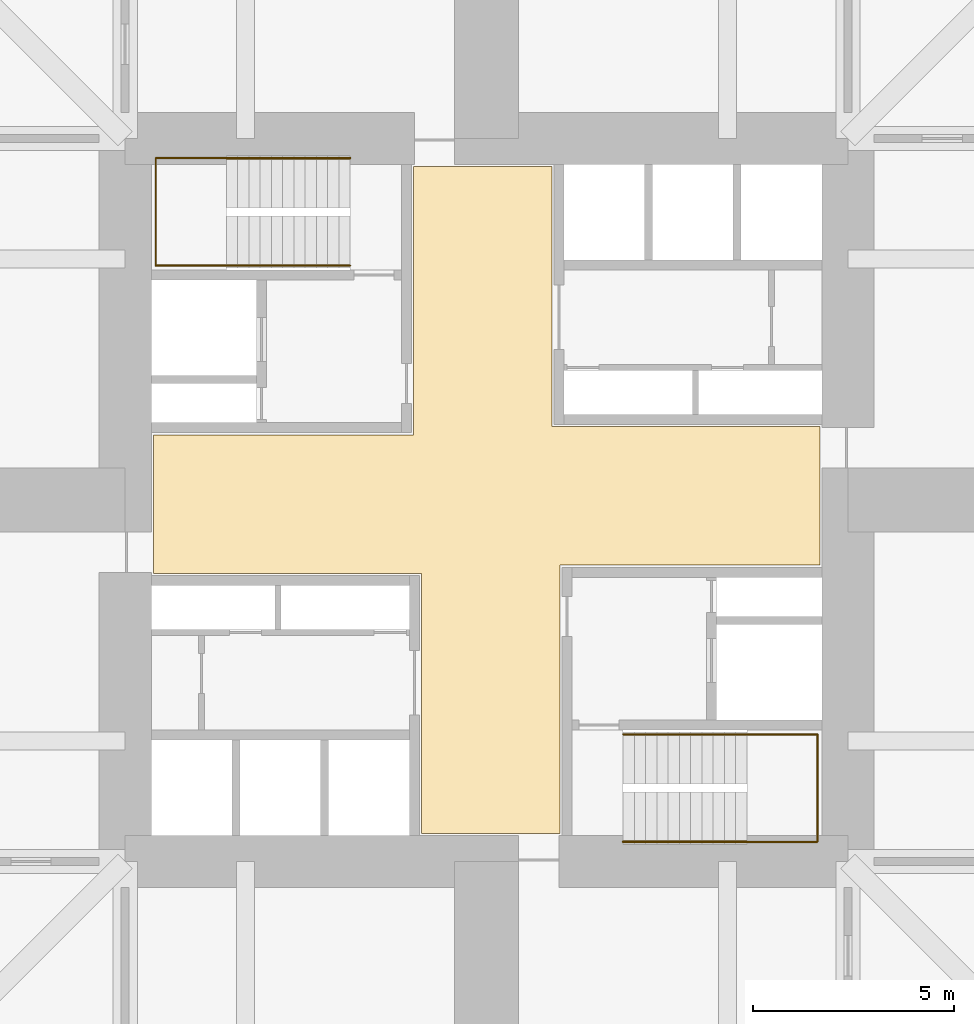
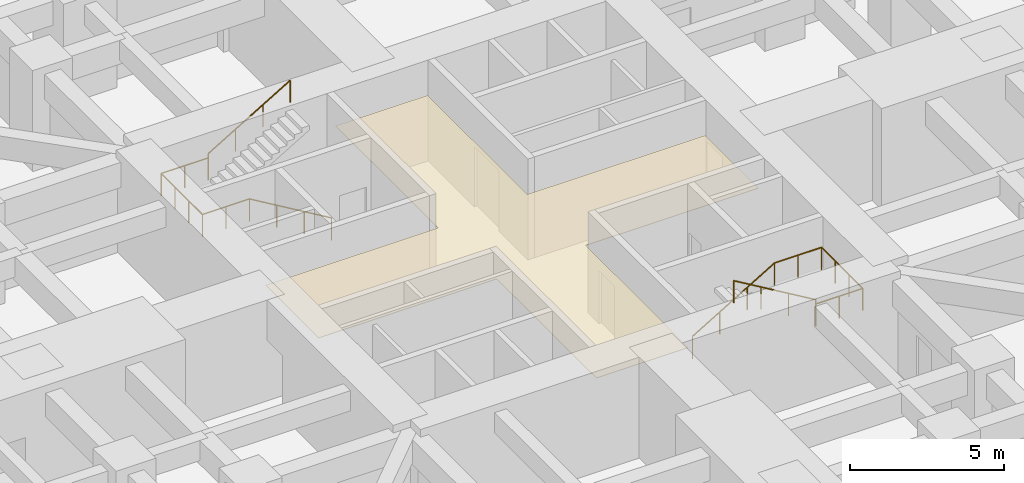
# One storey, part 6 of 6: 4 railings, 1 covering.
"""IFC4 building model written with IfcOpenShell, lengths in metres."""

from ifc_helpers import new_model, si_unit, direction, frame, origin, origin_2d, place, context, subcontext, project, spatial, polyline, circle, outline, extrude, material, layer, layer_set, type_object, element, save


model = new_model("IFC4")

# Units and contexts
model_context = context("Model", 3, precision=1e-05, world=origin(), true_north=direction((0.0, 1.0)))
body_context = subcontext(model_context, "Body", "Model", "MODEL_VIEW")
ifc_project = project(units=[si_unit("LENGTHUNIT", "METRE"), si_unit("AREAUNIT", "SQUARE_METRE"), si_unit("VOLUMEUNIT", "CUBIC_METRE"), si_unit("PLANEANGLEUNIT", "RADIAN"), si_unit("MASSUNIT", "GRAM", prefix="KILO")], contexts=[model_context])

# Site, building, storey
site_placement = place(None, origin())
site = spatial("IfcSite", under=ifc_project, at=site_placement, CompositionType="ELEMENT")
building_placement = place(site_placement, origin())
building = spatial("IfcBuilding", under=site, at=building_placement, Name="Torre Cruceta", CompositionType="ELEMENT")
storey_placement = place(building_placement, frame((0.0, 0.0, -4.0)))
storey = spatial("IfcBuildingStorey", under=building, at=storey_placement, Name="B01", CompositionType="ELEMENT", Elevation=-4.0)

# Railings
ifc_material_1 = material(Name="Stainless steel 1.4401", Category="steel")
railing_type = type_object("IfcRailingType", Name="HANDRAIL 900", PredefinedType="HANDRAIL", material=ifc_material_1)
railing_1_placement = place(storey_placement, frame((-3.39990234375, 5.8349609375, 0.166748046875)))
element("IfcRailing", 1, at=railing_1_placement, inside=storey, type_object=railing_type, Name="Handrail HR1 ST1 B01", PredefinedType="HANDRAIL", context=body_context, shape_type="SweptSolid", body=[
    extrude(circle(Radius=0.02392578125, at=origin_2d()), frame((0.0, 0.0, 0.8759765625), z_axis=(-0.859308565015, 0.0, 0.511457515432), x_axis=(0.0, -1.0, 0.0)), (0.0, 0.0, 1.0), 3.58447265625),
    extrude(circle(Radius=0.02392578125, at=origin_2d()), frame((-3.080078125, 0.0, 2.708984375), z_axis=(-1.0, 0.0, 0.0), x_axis=(0.0, -1.0, 0.0)), (0.0, 0.0, 1.0), 1.760009765625),
    extrude(circle(Radius=0.02392578125, at=origin_2d()), frame((-4.840087890625, 0.0, 2.708984375), z_axis=(0.0, 1.0, 0.0), x_axis=(-1.0, 0.0, 0.0)), (0.0, 0.0, 1.0), 2.679931640625),
    extrude(circle(Radius=0.02392578125, at=origin_2d()), frame((-4.840087890625, 2.679931640625, 2.708984375), z_axis=(1.0, 0.0, 0.0), x_axis=(0.0, 1.0, 0.0)), (0.0, 0.0, 1.0), 1.760009765625),
    extrude(circle(Radius=0.02099609375, at=origin_2d()), origin(), (0.0, 0.0, 1.0), 0.851806640625),
    extrude(circle(Radius=0.02099609375, at=origin_2d()), frame((-1.026611328125, 0.0, 0.611083984375)), (0.0, 0.0, 1.0), 0.851806640625),
    extrude(circle(Radius=0.02099609375, at=origin_2d()), frame((-2.053466796875, 0.0, 1.22216796875)), (0.0, 0.0, 1.0), 0.851806640625),
    extrude(circle(Radius=0.02099609375, at=origin_2d()), frame((-3.080078125, 0.0, 1.833251953125)), (0.0, 0.0, 1.0), 0.851806640625),
    extrude(circle(Radius=0.02099609375, at=origin_2d()), frame((-3.9599609375, 0.0, 1.833251953125)), (0.0, 0.0, 1.0), 0.851806640625),
    extrude(circle(Radius=0.02099609375, at=origin_2d()), frame((-4.840087890625, 0.0, 1.833251953125)), (0.0, 0.0, 1.0), 0.851806640625),
    extrude(circle(Radius=0.02099609375, at=origin_2d()), frame((-4.840087890625, 0.893310546875, 1.833251953125)), (0.0, 0.0, 1.0), 0.851806640625),
    extrude(circle(Radius=0.02099609375, at=origin_2d()), frame((-4.840087890625, 1.78662109375, 1.833251953125)), (0.0, 0.0, 1.0), 0.851806640625),
    extrude(circle(Radius=0.02099609375, at=origin_2d()), frame((-4.840087890625, 2.679931640625, 1.833251953125)), (0.0, 0.0, 1.0), 0.851806640625),
    extrude(circle(Radius=0.02099609375, at=origin_2d()), frame((-3.9599609375, 2.679931640625, 1.833251953125)), (0.0, 0.0, 1.0), 0.851806640625),
    extrude(circle(Radius=0.02099609375, at=origin_2d()), frame((-3.080078125, 2.679931640625, 1.833251953125)), (0.0, 0.0, 1.0), 0.851806640625),
])
railing_2_placement = place(storey_placement, frame((-6.47998046875, 8.514892578125, 2.166748046875)))
element("IfcRailing", 2, at=railing_2_placement, inside=storey, type_object=railing_type, Name="Handrail HR1 ST1 B01", PredefinedType="HANDRAIL", context=body_context, shape_type="SweptSolid", body=[
    extrude(circle(Radius=0.02392578125, at=origin_2d()), frame((0.0, 0.0, 0.8759765625), z_axis=(0.859308565015, 0.0, 0.511457515432), x_axis=(0.0, 1.0, 0.0)), (0.0, 0.0, 1.0), 3.58447265625),
    extrude(circle(Radius=0.02099609375, at=origin_2d()), origin(), (0.0, 0.0, 1.0), 0.851806640625),
    extrude(circle(Radius=0.02099609375, at=origin_2d()), frame((1.026611328125, 0.0, 0.611083984375)), (0.0, 0.0, 1.0), 0.851806640625),
    extrude(circle(Radius=0.02099609375, at=origin_2d()), frame((2.053466796875, 0.0, 1.22216796875)), (0.0, 0.0, 1.0), 0.851806640625),
    extrude(circle(Radius=0.02099609375, at=origin_2d()), frame((3.080078125, 0.0, 1.833251953125)), (0.0, 0.0, 1.0), 0.851806640625),
])
railing_3_placement = place(storey_placement, frame((3.39990234375, -5.8349609375, 0.166748046875)))
element("IfcRailing", 3, at=railing_3_placement, inside=storey, type_object=railing_type, Name="Handrail HR1 ST2 B01", PredefinedType="HANDRAIL", context=body_context, shape_type="SweptSolid", body=[
    extrude(circle(Radius=0.02392578125, at=origin_2d()), frame((0.0, 0.0, 0.8759765625), z_axis=(0.859308565015, 0.0, 0.511457515432), x_axis=(0.0, 1.0, 0.0)), (0.0, 0.0, 1.0), 3.58447265625),
    extrude(circle(Radius=0.02392578125, at=origin_2d()), frame((3.080078125, 0.0, 2.708984375), z_axis=(1.0, 0.0, 0.0), x_axis=(0.0, 1.0, 0.0)), (0.0, 0.0, 1.0), 1.760009765625),
    extrude(circle(Radius=0.02392578125, at=origin_2d()), frame((4.840087890625, 0.0, 2.708984375), z_axis=(0.0, -1.0, 0.0), x_axis=(1.0, 0.0, 0.0)), (0.0, 0.0, 1.0), 2.679931640625),
    extrude(circle(Radius=0.02392578125, at=origin_2d()), frame((4.840087890625, -2.679931640625, 2.708984375), z_axis=(-1.0, 0.0, 0.0), x_axis=(0.0, -1.0, 0.0)), (0.0, 0.0, 1.0), 1.760009765625),
    extrude(circle(Radius=0.02099609375, at=origin_2d()), origin(), (0.0, 0.0, 1.0), 0.851806640625),
    extrude(circle(Radius=0.02099609375, at=origin_2d()), frame((1.026611328125, 0.0, 0.611083984375)), (0.0, 0.0, 1.0), 0.851806640625),
    extrude(circle(Radius=0.02099609375, at=origin_2d()), frame((2.053466796875, 0.0, 1.22216796875)), (0.0, 0.0, 1.0), 0.851806640625),
    extrude(circle(Radius=0.02099609375, at=origin_2d()), frame((3.080078125, 0.0, 1.833251953125)), (0.0, 0.0, 1.0), 0.851806640625),
    extrude(circle(Radius=0.02099609375, at=origin_2d()), frame((3.9599609375, 0.0, 1.833251953125)), (0.0, 0.0, 1.0), 0.851806640625),
    extrude(circle(Radius=0.02099609375, at=origin_2d()), frame((4.840087890625, 0.0, 1.833251953125)), (0.0, 0.0, 1.0), 0.851806640625),
    extrude(circle(Radius=0.02099609375, at=origin_2d()), frame((4.840087890625, -0.893310546875, 1.833251953125)), (0.0, 0.0, 1.0), 0.851806640625),
    extrude(circle(Radius=0.02099609375, at=origin_2d()), frame((4.840087890625, -1.78662109375, 1.833251953125)), (0.0, 0.0, 1.0), 0.851806640625),
    extrude(circle(Radius=0.02099609375, at=origin_2d()), frame((4.840087890625, -2.679931640625, 1.833251953125)), (0.0, 0.0, 1.0), 0.851806640625),
    extrude(circle(Radius=0.02099609375, at=origin_2d()), frame((3.9599609375, -2.679931640625, 1.833251953125)), (0.0, 0.0, 1.0), 0.851806640625),
    extrude(circle(Radius=0.02099609375, at=origin_2d()), frame((3.080078125, -2.679931640625, 1.833251953125)), (0.0, 0.0, 1.0), 0.851806640625),
])
railing_4_placement = place(storey_placement, frame((6.47998046875, -8.514892578125, 2.166748046875)))
element("IfcRailing", 4, at=railing_4_placement, inside=storey, type_object=railing_type, Name="Handrail HR1 ST2 B01", PredefinedType="HANDRAIL", context=body_context, shape_type="SweptSolid", body=[
    extrude(circle(Radius=0.02392578125, at=origin_2d()), frame((0.0, 0.0, 0.8759765625), z_axis=(-0.859308565015, 0.0, 0.511457515432), x_axis=(0.0, -1.0, 0.0)), (0.0, 0.0, 1.0), 3.58447265625),
    extrude(circle(Radius=0.02099609375, at=origin_2d()), origin(), (0.0, 0.0, 1.0), 0.851806640625),
    extrude(circle(Radius=0.02099609375, at=origin_2d()), frame((-1.026611328125, 0.0, 0.611083984375)), (0.0, 0.0, 1.0), 0.851806640625),
    extrude(circle(Radius=0.02099609375, at=origin_2d()), frame((-2.053466796875, 0.0, 1.22216796875)), (0.0, 0.0, 1.0), 0.851806640625),
    extrude(circle(Radius=0.02099609375, at=origin_2d()), frame((-3.080078125, 0.0, 1.833251953125)), (0.0, 0.0, 1.0), 0.851806640625),
])

# Covering
ifc_material_2 = material(Name="Mineral fibre ceiling tile", Category="gypsum")
ifc_layer = layer(ifc_material_2, 0.02001953125)
ifc_layer_set = layer_set([ifc_layer], Name="Mineral fibre ceiling tile")
covering_type = type_object("IfcCoveringType", Name="SUSPENDED CEILING 20", PredefinedType="CEILING", material=ifc_layer_set)
covering_placement = place(storey_placement, frame((0.0, 0.0, 2.6298828125)))
element("IfcCovering", 5, at=covering_placement, inside=storey, type_object=covering_type, Name="Ceiling B01-001", PredefinedType="CEILING", context=body_context, shape_type="SweptSolid", body=[
    extrude(outline(polyline([(-1.625, -8.300048828125), (-1.625, -1.824951171875), (-8.300048828125, -1.824951171875), (-8.300048828125, 1.625), (-1.824951171875, 1.625), (-1.824951171875, 8.300048828125), (1.625, 8.300048828125), (1.625, 1.824951171875), (8.300048828125, 1.824951171875), (8.300048828125, -1.625), (1.824951171875, -1.625), (1.824951171875, -8.300048828125), (-1.625, -8.300048828125)])), origin(), (0.0, 0.0, 1.0), 0.02001953125),
])

save(model, "model.ifc")
